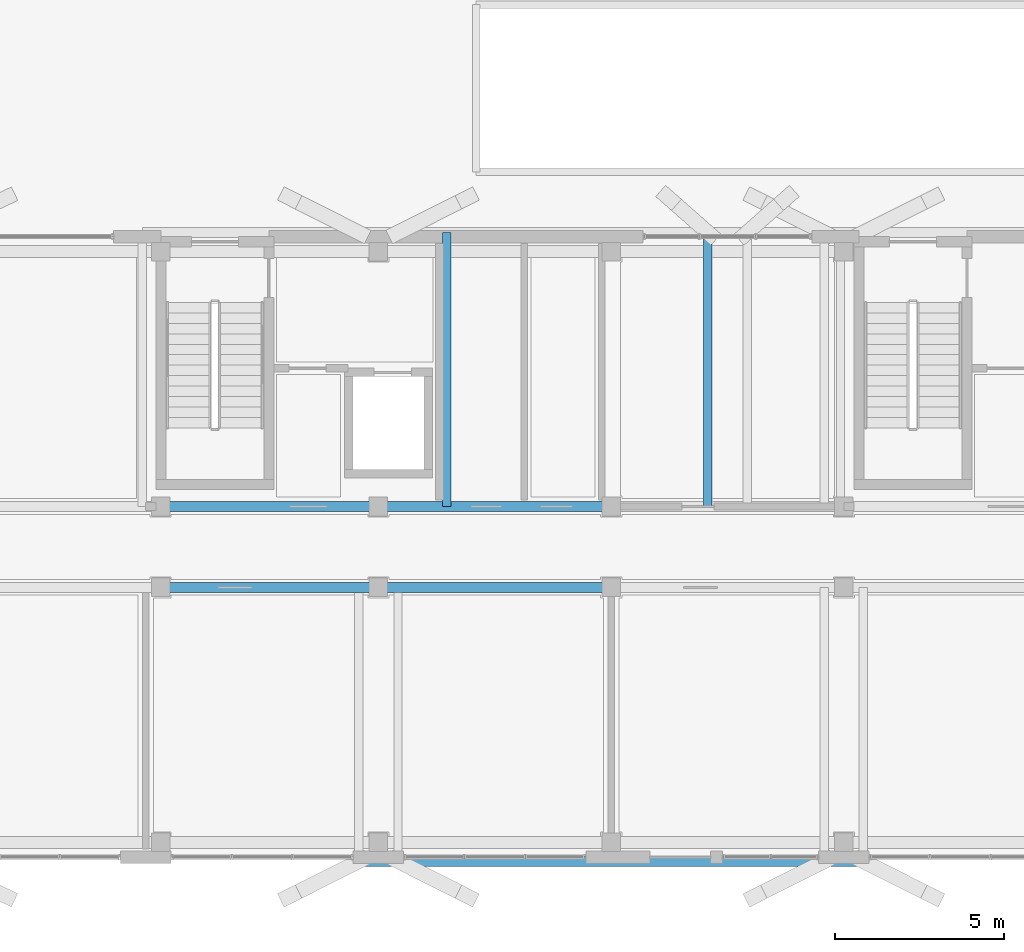
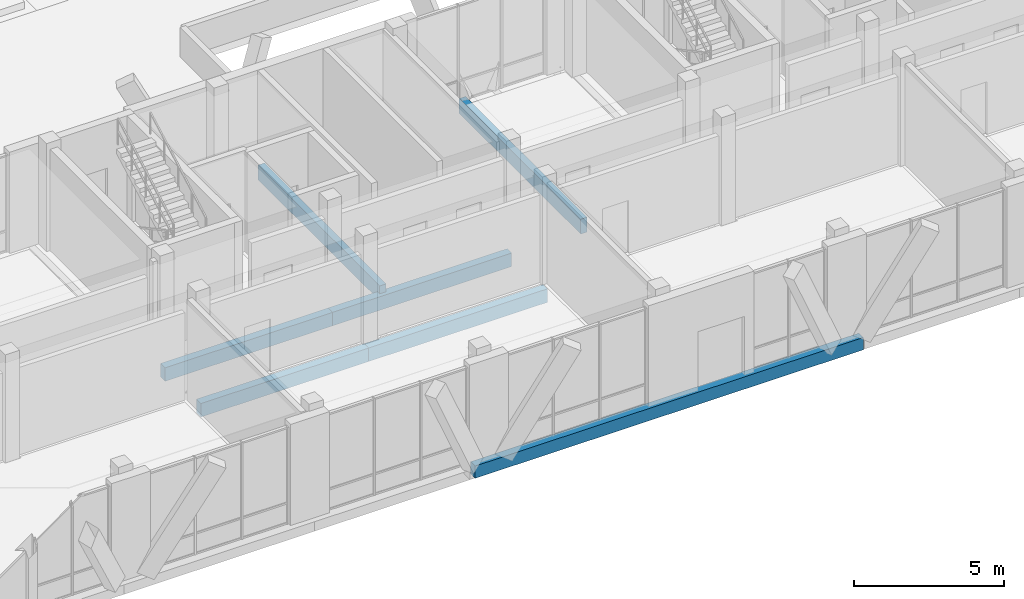
# One storey, part 137 of 233: 7 beams.
"""IFC4 building model written with IfcOpenShell, lengths in metres."""

from ifc_helpers import new_model, si_unit, direction, frame, origin, origin_2d, place, context, subcontext, project, spatial, rectangle, extrude, material, material_profile, profile_set, type_object, element, save


model = new_model("IFC4")

# Units and contexts
model_context = context("Model", 3, precision=1e-05, world=origin(), true_north=direction((0.0, 1.0)))
body_context = subcontext(model_context, "Body", "Model", "MODEL_VIEW")
ifc_project = project(units=[si_unit("LENGTHUNIT", "METRE"), si_unit("AREAUNIT", "SQUARE_METRE"), si_unit("VOLUMEUNIT", "CUBIC_METRE"), si_unit("PLANEANGLEUNIT", "RADIAN"), si_unit("MASSUNIT", "GRAM", prefix="KILO")], contexts=[model_context])

# Site, building, storey
site_placement = place(None, origin())
site = spatial("IfcSite", under=ifc_project, at=site_placement, CompositionType="ELEMENT")
building_placement = place(site_placement, origin())
building = spatial("IfcBuilding", under=site, at=building_placement, Name="Zavelmont Quarter", CompositionType="ELEMENT")
storey_placement = place(building_placement, origin())
storey = spatial("IfcBuildingStorey", under=building, at=storey_placement, Name="L00", CompositionType="ELEMENT", Elevation=0.0)

# Beams
ifc_material_1 = material(Name="Concrete C35/45", Category="concrete")
ifc_material_profile_1 = material_profile(ifc_material_1, rectangle(XDim=0.300048828125, YDim=0.550048828125, at=origin_2d()), Name="RC300X550")
ifc_profile_set_1 = profile_set([ifc_material_profile_1], Name="Concrete C35/45")
beam_type_1 = type_object("IfcBeamType", Name="BM02", PredefinedType="SPANDREL", material=ifc_profile_set_1)
beam_1_placement = place(storey_placement, frame((127.0400390625, 8.0, -0.594970703125), z_axis=(1.0, 0.0, 0.0), x_axis=(0.0, 1.0, 0.0)))
element("IfcBeam", 1, at=beam_1_placement, inside=storey, type_object=beam_type_1, Name="L00 beam BM02 19/B to 20/B", PredefinedType="SPANDREL", context=body_context, shape_type="SweptSolid", body=[
    extrude(rectangle(XDim=0.300048828125, YDim=0.550048828125, at=origin_2d()), origin(), (0.0, 0.0, 1.0), 6.4599609375),
])
beam_2_placement = place(storey_placement, frame((133.5, 8.0, -0.594970703125), z_axis=(1.0, 0.0, 0.0), x_axis=(0.0, 1.0, 0.0)))
element("IfcBeam", 2, at=beam_2_placement, inside=storey, type_object=beam_type_1, Name="L00 beam BM02 20/B to 21/B", PredefinedType="SPANDREL", context=body_context, shape_type="SweptSolid", body=[
    extrude(rectangle(XDim=0.300048828125, YDim=0.550048828125, at=origin_2d()), origin(), (0.0, 0.0, 1.0), 6.89990234375),
])
beam_3_placement = place(storey_placement, frame((127.0400390625, 10.39990234375, -0.594970703125), z_axis=(1.0, 0.0, 0.0), x_axis=(0.0, 1.0, 0.0)))
element("IfcBeam", 3, at=beam_3_placement, inside=storey, type_object=beam_type_1, Name="L00 beam BM02 19/C to 20/C", PredefinedType="SPANDREL", context=body_context, shape_type="SweptSolid", body=[
    extrude(rectangle(XDim=0.300048828125, YDim=0.550048828125, at=origin_2d()), origin(), (0.0, 0.0, 1.0), 6.4599609375),
])
beam_4_placement = place(storey_placement, frame((133.5, 10.39990234375, -0.594970703125), z_axis=(1.0, 0.0, 0.0), x_axis=(0.0, 1.0, 0.0)))
element("IfcBeam", 4, at=beam_4_placement, inside=storey, type_object=beam_type_1, Name="L00 beam BM02 20/C to 21/C", PredefinedType="SPANDREL", context=body_context, shape_type="SweptSolid", body=[
    extrude(rectangle(XDim=0.300048828125, YDim=0.550048828125, at=origin_2d()), origin(), (0.0, 0.0, 1.0), 6.89990234375),
])
ifc_material_profile_2 = material_profile(ifc_material_1, rectangle(XDim=0.300048828125, YDim=0.5, at=origin_2d()), Name="RC300X500")
ifc_profile_set_2 = profile_set([ifc_material_profile_2], Name="Concrete C35/45")
beam_type_2 = type_object("IfcBeamType", Name="BM03", PredefinedType="BEAM", material=ifc_profile_set_2)
beam_5_placement = place(storey_placement, frame((132.919921875, -0.1201171875, -0.25), z_axis=(1.0, 0.0, 0.0), x_axis=(0.0, 1.0, 0.0)))
element("IfcBeam", 5, at=beam_5_placement, inside=storey, type_object=beam_type_2, Name="L00 beam BM03 20/A to 22/A", PredefinedType="BEAM", context=body_context, shape_type="SweptSolid", body=[
    extrude(rectangle(XDim=0.300048828125, YDim=0.5, at=origin_2d()), origin(), (0.0, 0.0, 1.0), 14.9599609375),
])
ifc_material_2 = material(Name="Concrete C40/50", Category="concrete")
ifc_material_profile_3 = material_profile(ifc_material_2, rectangle(XDim=0.25, YDim=0.60009765625, at=origin_2d()), Name="RC250X600")
ifc_profile_set_3 = profile_set([ifc_material_profile_3], Name="Concrete C40/50")
beam_type_3 = type_object("IfcBeamType", Name="BM18", PredefinedType="BEAM", material=ifc_profile_set_3)
for number, where, z_axis, x_axis, name in (
    (6, (135.52490234375, 10.39990234375, -0.300048828125), (0.0, 1.0, 0.0), (-1.0, 0.0, 0.0), "L00 beam BM18 20/C to 20/D"),
    (7, (143.27001953125, 10.39990234375, -0.300048828125), (0.0, 1.0, 0.0), (-1.0, 0.0, 0.0), "L00 beam BM18 21/C to 21/D"),
):
    element("IfcBeam", number, at=place(storey_placement, frame(where, z_axis=z_axis, x_axis=x_axis)), inside=storey, type_object=beam_type_3, Name=name, PredefinedType="BEAM", context=body_context, shape_type="SweptSolid", body=[
        extrude(rectangle(XDim=0.25, YDim=0.60009765625, at=origin_2d()), origin(), (0.0, 0.0, 1.0), 8.1201171875),
    ])

save(model, "model.ifc")
